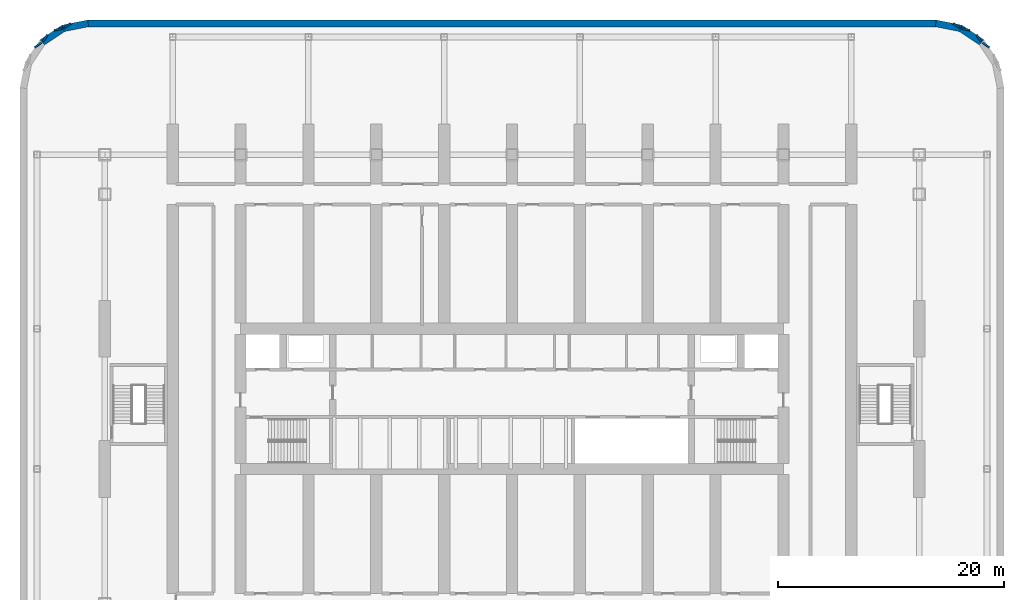
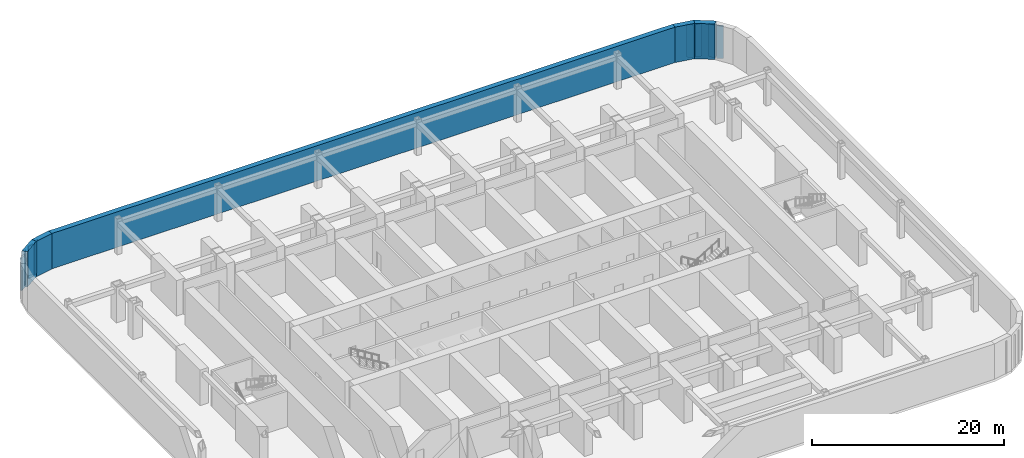
# One storey, part 7 of 16: 13 walls.
"""IFC4 building model written with IfcOpenShell, lengths in metres."""

from ifc_helpers import new_model, si_unit, direction, frame, frame_2d, origin, place, context, subcontext, project, spatial, polyline, rectangle, outline, extrude, material, layer, layer_set, type_object, element, save


model = new_model("IFC4")

# Units and contexts
model_context = context("Model", 3, precision=1e-05, world=origin(), true_north=direction((0.0, 1.0)))
body_context = subcontext(model_context, "Body", "Model", "MODEL_VIEW")
ifc_project = project(units=[si_unit("LENGTHUNIT", "METRE"), si_unit("AREAUNIT", "SQUARE_METRE"), si_unit("VOLUMEUNIT", "CUBIC_METRE"), si_unit("PLANEANGLEUNIT", "RADIAN"), si_unit("MASSUNIT", "GRAM", prefix="KILO")], contexts=[model_context])

# Site, building, storey
site_placement = place(None, origin())
site = spatial("IfcSite", under=ifc_project, at=site_placement, CompositionType="ELEMENT")
building_placement = place(site_placement, origin())
building = spatial("IfcBuilding", under=site, at=building_placement, Name="Orbita Commons", CompositionType="ELEMENT")
storey_placement = place(building_placement, frame((0.0, 0.0, -4.5)))
storey = spatial("IfcBuildingStorey", under=building, at=storey_placement, Name="L-01", CompositionType="ELEMENT", Elevation=-4.5)

# Walls
ifc_material_1 = material(Name="Gypsum plasterboard on steel studs", Category="steel")
ifc_layer_1 = layer(ifc_material_1, 0.14990234375)
ifc_layer_set_1 = layer_set([ifc_layer_1], Name="Gypsum plasterboard on steel studs")
wall_type_1 = type_object("IfcWallType", Name="Partition 150 plasterboard", PredefinedType="PARTITIONING", material=ifc_layer_set_1)
for number, where, z_axis, x_axis, name in (
    (1, (83.470703125, 63.609619140625, 0.0), (0.0, 0.0, 1.0), (-0.555660345797, 0.831409393806, 0.0), "Partition 150 plasterboard L-01"),
    (2, (83.609619140625, 63.470703125, 0.0), (0.0, 0.0, 1.0), (0.831409393806, -0.555660345797, 0.0), "Partition 150 plasterboard L-01"),
):
    element("IfcWall", number, at=place(storey_placement, frame(where, z_axis=z_axis, x_axis=x_axis)), inside=storey, type_object=wall_type_1, Name=name, PredefinedType="PARTITIONING", context=body_context, shape_type="SweptSolid", body=[
        extrude(rectangle(XDim=0.703857421875, YDim=0.14990234375, at=frame_2d((0.35205078125, 0.0))), origin(), (0.0, 0.0, 1.0), 4.14990234375),
    ])
wall_1_placement = place(storey_placement, frame((81.595947265625, 64.816162109375, 0.0), z_axis=(0.0, 0.0, 1.0), x_axis=(-0.831516441635, 0.555500141576, 0.0)))
element("IfcWall", 3, at=wall_1_placement, inside=storey, type_object=wall_type_1, Name="Partition 150 plasterboard L-01", PredefinedType="PARTITIONING", context=body_context, shape_type="SweptSolid", body=[
    extrude(rectangle(XDim=0.7041015625, YDim=0.14990234375, at=frame_2d((0.35205078125, 0.0))), origin(), (0.0, 0.0, 1.0), 4.14990234375),
])
for number, where, z_axis, x_axis, name in (
    (4, (81.777099609375, 64.7412109375, 0.0), (0.0, 0.0, 1.0), (0.980753692983, -0.195249055569, 0.0), "Partition 150 plasterboard L-01"),
    (5, (2.222900390625, 64.7412109375, 0.0), (0.0, 0.0, 1.0), (-0.980753692983, -0.195249055569, 0.0), "Partition 150 plasterboard L-01"),
):
    element("IfcWall", number, at=place(storey_placement, frame(where, z_axis=z_axis, x_axis=x_axis)), inside=storey, type_object=wall_type_1, Name=name, PredefinedType="PARTITIONING", context=body_context, shape_type="SweptSolid", body=[
        extrude(rectangle(XDim=0.703857421875, YDim=0.14990234375, at=frame_2d((0.35205078125, 0.0))), origin(), (0.0, 0.0, 1.0), 4.14990234375),
    ])
wall_2_placement = place(storey_placement, frame((2.404052734375, 64.816162109375, 0.0), z_axis=(0.0, 0.0, 1.0), x_axis=(0.831516441635, 0.555500141576, 0.0)))
element("IfcWall", 6, at=wall_2_placement, inside=storey, type_object=wall_type_1, Name="Partition 150 plasterboard L-01", PredefinedType="PARTITIONING", context=body_context, shape_type="SweptSolid", body=[
    extrude(rectangle(XDim=0.7041015625, YDim=0.14990234375, at=frame_2d((0.35205078125, 0.0))), origin(), (0.0, 0.0, 1.0), 4.14990234375),
])
for number, where, z_axis, x_axis, name in (
    (7, (0.390380859375, 63.470703125, 0.0), (0.0, 0.0, 1.0), (-0.831409393806, -0.555660345797, 0.0), "Partition 150 plasterboard L-01"),
    (8, (0.529296875, 63.609619140625, 0.0), (0.0, 0.0, 1.0), (0.555660345797, 0.831409393806, 0.0), "Partition 150 plasterboard L-01"),
):
    element("IfcWall", number, at=place(storey_placement, frame(where, z_axis=z_axis, x_axis=x_axis)), inside=storey, type_object=wall_type_1, Name=name, PredefinedType="PARTITIONING", context=body_context, shape_type="SweptSolid", body=[
        extrude(rectangle(XDim=0.703857421875, YDim=0.14990234375, at=frame_2d((0.35205078125, 0.0))), origin(), (0.0, 0.0, 1.0), 4.14990234375),
    ])
ifc_material_2 = material(Name="Concrete C50/60", Category="concrete")
ifc_layer_2 = layer(ifc_material_2, 0.60009765625)
ifc_layer_set_2 = layer_set([ifc_layer_2], Name="Concrete C50/60")
wall_type_2 = type_object("IfcWallType", Name="Retaining wall 600 C50/60", PredefinedType="SOLIDWALL", material=ifc_layer_set_2)
wall_3_placement = place(storey_placement, frame((83.5263671875, 63.5263671875, 0.0), z_axis=(0.0, 0.0, 1.0), x_axis=(-0.831475081676, 0.555562047437, 0.0)))
element("IfcWall", 9, at=wall_3_placement, inside=storey, type_object=wall_type_2, Name="Basement retaining wall L-01 8", PredefinedType="SOLIDWALL", context=body_context, shape_type="SweptSolid", body=[
    extrude(outline(polyline([(-0.0595703125, -0.300048828125), (2.281494140625, -0.300048828125), (2.162353515625, 0.300048828125), (0.0595703125, 0.300048828125), (-0.0595703125, -0.300048828125)])), origin(), (0.0, 0.0, 1.0), 4.5),
])
wall_4_placement = place(storey_placement, frame((81.678955078125, 64.7607421875, 0.0), z_axis=(0.0, 0.0, 1.0), x_axis=(-0.980792774628, 0.195052642224, 0.0)))
element("IfcWall", 10, at=wall_4_placement, inside=storey, type_object=wall_type_2, Name="Basement retaining wall L-01 9", PredefinedType="SOLIDWALL", context=body_context, shape_type="SweptSolid", body=[
    extrude(outline(polyline([(-0.0595703125, -0.300048828125), (2.28125, -0.300048828125), (2.22216796875, 0.300048828125), (0.0595703125, 0.300048828125), (-0.0595703125, -0.300048828125)])), origin(), (0.0, 0.0, 1.0), 4.5),
])
wall_5_placement = place(storey_placement, frame((79.470458984375, 65.199951171875, 0.0), z_axis=(0.0, 0.0, 1.0), x_axis=(-1.0, 0.0, 0.0)))
element("IfcWall", 11, at=wall_5_placement, inside=storey, type_object=wall_type_2, Name="Basement retaining wall L-01 10", PredefinedType="SOLIDWALL", context=body_context, shape_type="SweptSolid", body=[
    extrude(outline(polyline([(-0.029541015625, -0.300048828125), (74.970458984375, -0.300048828125), (74.911376953125, 0.300048828125), (0.029541015625, 0.300048828125), (-0.029541015625, -0.300048828125)])), origin(), (0.0, 0.0, 1.0), 4.5),
])
wall_6_placement = place(storey_placement, frame((4.529541015625, 65.199951171875, 0.0), z_axis=(0.0, 0.0, 1.0), x_axis=(-0.980792774628, -0.195052642224, 0.0)))
element("IfcWall", 12, at=wall_6_placement, inside=storey, type_object=wall_type_2, Name="Basement retaining wall L-01 11", PredefinedType="SOLIDWALL", context=body_context, shape_type="SweptSolid", body=[
    extrude(outline(polyline([(-0.029541015625, -0.300048828125), (2.311279296875, -0.300048828125), (2.192138671875, 0.300048828125), (0.029541015625, 0.300048828125), (-0.029541015625, -0.300048828125)])), origin(), (0.0, 0.0, 1.0), 4.5),
])
wall_7_placement = place(storey_placement, frame((2.321044921875, 64.7607421875, 0.0), z_axis=(0.0, 0.0, 1.0), x_axis=(-0.831475081676, -0.555562047437, 0.0)))
element("IfcWall", 13, at=wall_7_placement, inside=storey, type_object=wall_type_2, Name="Basement retaining wall L-01 12", PredefinedType="SOLIDWALL", context=body_context, shape_type="SweptSolid", body=[
    extrude(outline(polyline([(-0.0595703125, -0.300048828125), (2.281494140625, -0.300048828125), (2.162353515625, 0.300048828125), (0.0595703125, 0.300048828125), (-0.0595703125, -0.300048828125)])), origin(), (0.0, 0.0, 1.0), 4.5),
])

save(model, "model.ifc")
